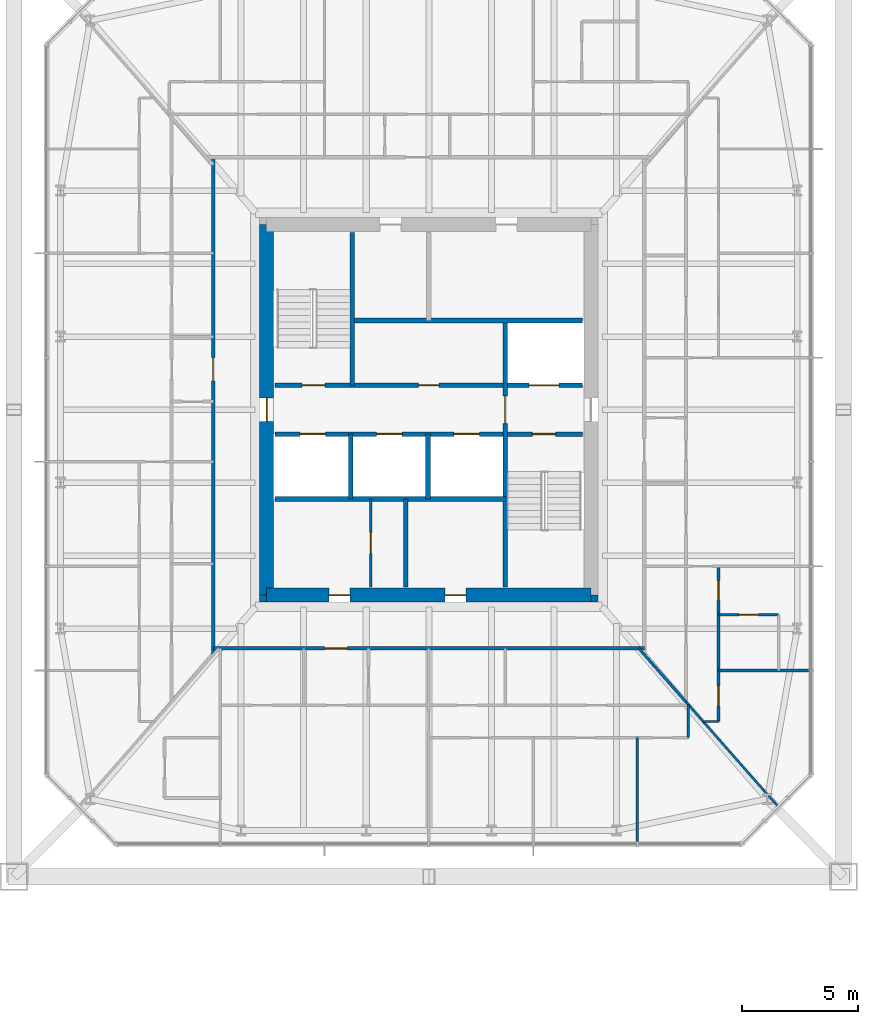
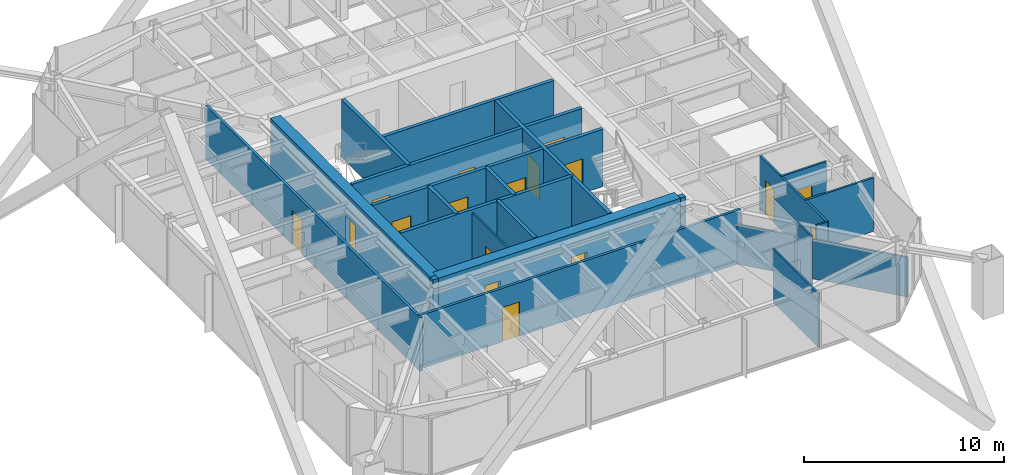
# One storey, part 21 of 28: 24 walls, 17 doors, 17 openings.
"""IFC4 building model written with IfcOpenShell, lengths in metres."""

import ifcopenshell
import ifcopenshell.guid

model = None  # the IFC model being written
_history = None  # IfcOwnerHistory: only IFC2X3 demands one
_inside = {}  # id of a spatial element -> (the spatial element, [elements in it])
_under = {}  # id of a project, library or spatial element -> (it, [spatial elements below it])
_declared = {}  # id of a project -> (the project, [libraries it declares])
_typed = {}  # id of a type object -> (the type object, [elements of that type])
_made_of = {}  # id of a material, layer set ... -> (it, [elements and type objects made of it])


def new_model(schema):
    """Start an empty IFC model of exactly this schema.

    Asked for "IFC4X3", IfcOpenShell would pick the latest addendum, in which some entities
    have other attributes; the version numbers below select the first issue.
    IFC2X3 requires an IfcOwnerHistory on every rooted entity: one is made here for all.
    """
    global model, _history
    if schema == "IFC4X3":
        model = ifcopenshell.file(schema_version=(4, 3, 0, 0))
    else:
        model = ifcopenshell.file(schema=schema)
    _inside.clear()
    _under.clear()
    _declared.clear()
    _typed.clear()
    _made_of.clear()
    _history = None
    if model.schema == "IFC2X3":
        org = make("IfcOrganization", Name="unknown")
        user = make(
            "IfcPersonAndOrganization",
            ThePerson=make("IfcPerson", FamilyName="unknown"),
            TheOrganization=org,
        )
        app = make(
            "IfcApplication",
            ApplicationDeveloper=org,
            Version="unknown",
            ApplicationFullName="unknown",
            ApplicationIdentifier="unknown",
        )
        _history = make(
            "IfcOwnerHistory",
            OwningUser=user,
            OwningApplication=app,
            ChangeAction="ADDED",
            CreationDate=0,
        )
    return model


def make(cls, **values):
    """One entity of the class cls with the attributes given. An attribute that is None is left unset."""
    return model.create_entity(
        cls, **{name: value for name, value in values.items() if value is not None}
    )


def rooted(cls, **values):
    """An entity with a GlobalId (a new one), such as an element, a storey or a relation."""
    return make(cls, GlobalId=ifcopenshell.guid.new(), OwnerHistory=_history, **values)


def si_unit(unit_type, name, prefix=None):
    """IfcSIUnit, for example si_unit("LENGTHUNIT", "METRE", prefix="MILLI")."""
    return make("IfcSIUnit", UnitType=unit_type, Prefix=prefix, Name=name)


def assignment(units):
    """IfcUnitAssignment: the units of a project."""
    return None if units is None else make("IfcUnitAssignment", Units=units)


def point(xyz):
    """IfcCartesianPoint."""
    return None if xyz is None else make("IfcCartesianPoint", Coordinates=xyz)


def direction(xyz):
    """IfcDirection."""
    return None if xyz is None else make("IfcDirection", DirectionRatios=xyz)


def frame(location, z_axis=None, x_axis=None):
    """IfcAxis2Placement3D, a coordinate frame: its origin and axes. An axis left out is left unset."""
    return make(
        "IfcAxis2Placement3D",
        Location=point(location),
        Axis=direction(z_axis),
        RefDirection=direction(x_axis),
    )


def frame_2d(location, x_axis=None):
    """IfcAxis2Placement2D, a coordinate frame in the plane: its origin and x axis."""
    return make(
        "IfcAxis2Placement2D", Location=point(location), RefDirection=direction(x_axis)
    )


def origin():
    """The frame at (0, 0, 0) with its axes left unset."""
    return frame((0.0, 0.0, 0.0))


def place(relative_to, where):
    """IfcLocalPlacement: puts the frame where relative to a parent placement (None: the world)."""
    return make(
        "IfcLocalPlacement", PlacementRelTo=relative_to, RelativePlacement=where
    )


def context(
    kind, dimensions, precision=None, world=None, true_north=None, identifier=None
):
    """IfcGeometricRepresentationContext, for example the 3D "Model" context."""
    return make(
        "IfcGeometricRepresentationContext",
        ContextIdentifier=identifier,
        ContextType=kind,
        CoordinateSpaceDimension=dimensions,
        Precision=precision,
        WorldCoordinateSystem=world,
        TrueNorth=true_north,
    )


def subcontext(parent, identifier, kind, view, scale=None):
    """IfcGeometricRepresentationSubContext, for example "Body" below "Model"."""
    return make(
        "IfcGeometricRepresentationSubContext",
        ContextIdentifier=identifier,
        ContextType=kind,
        ParentContext=parent,
        TargetScale=scale,
        TargetView=view,
    )


def project(units=None, contexts=None):
    """IfcProject with its units and contexts."""
    return rooted(
        "IfcProject",
        Name="project",
        RepresentationContexts=contexts,
        UnitsInContext=assignment(units),
    )


def spatial(cls, under=None, at=None, **own):
    """A site, building, storey or space (cls), placed at a placement, below another one or the project."""
    s = rooted(cls, ObjectPlacement=at, **own)
    if under is not None:
        _under.setdefault(under.id(), (under, []))[1].append(s)
    return s


def profile(cls, at=None, kind="AREA", **sizes):
    """A parametric profile (cls). Its sizes go by their IFC names, for example OverallWidth=200.0."""
    return make(cls, ProfileType=kind, Position=at, **sizes)


def rectangle(**sizes):
    """IfcRectangleProfileDef."""
    return profile("IfcRectangleProfileDef", **sizes)


def extrude(swept, where, along, depth):
    """IfcExtrudedAreaSolid: the profile swept, set in the frame where, extruded along a direction by depth."""
    return make(
        "IfcExtrudedAreaSolid",
        SweptArea=swept,
        Position=where,
        ExtrudedDirection=direction(along),
        Depth=depth,
    )


def shape(context_of_items, identifier, shape_type, items):
    """IfcShapeRepresentation: the items that make up one representation, for example the "Body"."""
    return make(
        "IfcShapeRepresentation",
        ContextOfItems=context_of_items,
        RepresentationIdentifier=identifier,
        RepresentationType=shape_type,
        Items=items,
    )


def material(Name=None, Category=None):
    """IfcMaterial."""
    return make("IfcMaterial", Name=Name, Category=Category)


def layer(
    of_material, thickness, ventilated=None, Name=None, Category=None, Priority=None
):
    """IfcMaterialLayer: one layer of a wall or slab, of a material (None: an air gap)."""
    return make(
        "IfcMaterialLayer",
        Material=of_material,
        LayerThickness=thickness,
        IsVentilated=ventilated,
        Name=Name,
        Category=Category,
        Priority=Priority,
    )


def layer_set(layers, Name=None):
    """IfcMaterialLayerSet."""
    return make("IfcMaterialLayerSet", MaterialLayers=layers, LayerSetName=Name)


def made_of(thing, what):
    """Note that an element or type object is made of a material, layer set ...; save() writes the relation."""
    if what is not None:
        _made_of.setdefault(what.id(), (what, []))[1].append(thing)
    return thing


def type_object(cls, material=None, **own):
    """A type object (cls), such as IfcWallType, which elements share."""
    return made_of(rooted(cls, **own), material)


def element(
    cls,
    number,
    at=None,
    inside=None,
    cuts=None,
    type_object=None,
    material=None,
    context=None,
    identifier="Body",
    shape_type=None,
    held_by="IfcProductDefinitionShape",
    body=None,
    shapes=None,
    **own,
):
    """One element of the class cls, such as IfcWall. Its Tag is "e" and its number.

    at: its placement. inside: the storey or other place that contains it. cuts: it is an
    opening in that element (IfcRelVoidsElement). A single representation is given by context,
    identifier, shape_type and body (its items); several are given by shapes. held_by: the class
    of the entity that holds the representations. save() writes the other relations.
    """
    e = rooted(cls, Tag="e%d" % number, ObjectPlacement=at, **own)
    if body is not None:
        shapes = [shape(context, identifier, shape_type, body)]
    if shapes is not None:
        e.Representation = make(held_by, Representations=shapes)
    if inside is not None:
        _inside.setdefault(inside.id(), (inside, []))[1].append(e)
    if cuts is not None:
        rooted(
            "IfcRelVoidsElement", RelatingBuildingElement=cuts, RelatedOpeningElement=e
        )
    if type_object is not None:
        _typed.setdefault(type_object.id(), (type_object, []))[1].append(e)
    return made_of(e, material)


def fill(opening, filler):
    """IfcRelFillsElement: the door or window that sits in an opening."""
    return rooted(
        "IfcRelFillsElement",
        RelatingOpeningElement=opening,
        RelatedBuildingElement=filler,
    )


def aggregate(whole, parts):
    """IfcRelAggregates: a whole, such as a stair, and the parts it consists of."""
    return rooted("IfcRelAggregates", RelatingObject=whole, RelatedObjects=parts)


def save(model, path):
    """Write the relations noted so far, then the file.

    IfcRelAggregates (storeys below a building ...), IfcRelContainedInSpatialStructure (elements
    in a storey), IfcRelDefinesByType, IfcRelAssociatesMaterial and IfcRelDeclares: one each for
    every whole, place, type object, material and project.
    """
    for whole, parts in _under.values():
        aggregate(whole, parts)
    for where, things in _inside.values():
        rooted(
            "IfcRelContainedInSpatialStructure",
            RelatedElements=things,
            RelatingStructure=where,
        )
    for kind, things in _typed.values():
        rooted("IfcRelDefinesByType", RelatedObjects=things, RelatingType=kind)
    for what, things in _made_of.values():
        rooted("IfcRelAssociatesMaterial", RelatedObjects=things, RelatingMaterial=what)
    for by, libraries in _declared.values():
        rooted("IfcRelDeclares", RelatingContext=by, RelatedDefinitions=libraries)
    model.write(path)


model = new_model("IFC4")

# Units and contexts
model_context = context("Model", 3, precision=1e-05, world=origin(), true_north=direction((0.0, 1.0)))
body_context = subcontext(model_context, "Body", "Model", "MODEL_VIEW")
ifc_project = project(units=[si_unit("LENGTHUNIT", "METRE"), si_unit("AREAUNIT", "SQUARE_METRE"), si_unit("VOLUMEUNIT", "CUBIC_METRE"), si_unit("PLANEANGLEUNIT", "RADIAN"), si_unit("MASSUNIT", "GRAM", prefix="KILO")], contexts=[model_context])

# Site, building, storey
site_placement = place(None, origin())
site = spatial("IfcSite", under=ifc_project, at=site_placement, CompositionType="ELEMENT")
building_placement = place(site_placement, origin())
building = spatial("IfcBuilding", under=site, at=building_placement, Name="Iwan Alto Co-Living Towers", CompositionType="ELEMENT")
storey_placement = place(building_placement, frame((0.0, 0.0, 43.0)))
storey = spatial("IfcBuildingStorey", under=building, at=storey_placement, Name="L11", CompositionType="ELEMENT", Elevation=43.0)

# Wall, opening, door
ifc_material_1 = material(Name="Gypsum board")
ifc_layer_1 = layer(ifc_material_1, 0.02490234375, Name="Board", Category="Finish")
ifc_material_2 = material(Name="Steel ASTM A1003 ST33H cold-formed studs", Category="steel")
ifc_layer_2 = layer(ifc_material_2, 0.10009765625, Name="Studs", Category="Framing")
ifc_layer_3 = layer(ifc_material_1, 0.02490234375, Name="Board", Category="Finish")
ifc_layer_set_1 = layer_set([ifc_layer_1, ifc_layer_2, ifc_layer_3], Name="CORRIDOR WALL 150")
wall_type_1 = type_object("IfcWallType", Name="CORRIDOR WALL 150", PredefinedType="PARTITIONING", material=ifc_layer_set_1)
wall_1_placement = place(storey_placement, frame((53.699951171875, -10.300048828125, 0.0), z_axis=(0.0, 0.0, 1.0), x_axis=(1.0, 0.0, 0.0)))
wall_1 = element("IfcWall", 1, at=wall_1_placement, inside=storey, type_object=wall_type_1, Name="Partition L11", PredefinedType="PARTITIONING", context=body_context, shape_type="SweptSolid", body=[
    extrude(rectangle(XDim=18.60009765625, YDim=0.14990234375, at=frame_2d((9.300048828125, 0.0))), origin(), (0.0, 0.0, 1.0), 3.27001953125),
])
opening_1_placement = place(wall_1_placement, frame((4.800048828125, 0.0, 0.0)))
opening_1 = element("IfcOpeningElement", 2, at=opening_1_placement, cuts=wall_1, Name="Opening D3", PredefinedType="OPENING", context=body_context, shape_type="SweptSolid", body=[
    extrude(rectangle(XDim=1.0, YDim=2.10009765625, at=frame_2d((0.5, 1.050048828125))), frame((0.0, 0.0849609375, 0.0), z_axis=(0.0, -1.0, 0.0), x_axis=(1.0, 0.0, 0.0)), (0.0, 0.0, 1.0), 0.169921875),
])
ifc_material_3 = material(Name="Steel frame with timber leaf", Category="steel")
door_type_1 = type_object("IfcDoorType", Name="FLAT ENTRANCE DOOR FD30S 1000X2100", OperationType="SINGLE_SWING_LEFT", PredefinedType="DOOR", material=ifc_material_3)
door_1_placement = place(opening_1_placement, frame((1.0, 0.0, 0.0), z_axis=(0.0, 0.0, 1.0), x_axis=(-1.0, 0.0, 0.0)))
door_1 = element("IfcDoor", 3, at=door_1_placement, inside=storey, type_object=door_type_1, Name="Apartment foyer door L11", OperationType="SINGLE_SWING_RIGHT", OverallHeight=2.10009765625, OverallWidth=1.0, PredefinedType="DOOR", context=body_context, shape_type="SweptSolid", body=[
    extrude(rectangle(XDim=1.0, YDim=2.10009765625, at=frame_2d((0.5, 1.050048828125))), frame((0.0, 0.02490234375, 0.0), z_axis=(0.0, -1.0, 0.0), x_axis=(1.0, 0.0, 0.0)), (0.0, 0.0, 1.0), 0.050048828125),
])
fill(opening_1, door_1)

wall_2_placement = place(storey_placement, frame((53.699951171875, -10.568115234375, 0.0), z_axis=(0.0, 0.0, 1.0), x_axis=(0.0, 1.0, 0.0)))
wall_2 = element("IfcWall", 4, at=wall_2_placement, inside=storey, type_object=wall_type_1, Name="Partition L11", PredefinedType="PARTITIONING", context=body_context, shape_type="SweptSolid", body=[
    extrude(rectangle(XDim=21.468017578125, YDim=0.14990234375, at=frame_2d((10.73388671875, 0.0))), origin(), (0.0, 0.0, 1.0), 3.27001953125),
])
opening_2_placement = place(wall_2_placement, frame((11.818115234375, 0.0, 0.0)))
opening_2 = element("IfcOpeningElement", 5, at=opening_2_placement, cuts=wall_2, Name="Opening D3", PredefinedType="OPENING", context=body_context, shape_type="SweptSolid", body=[
    extrude(rectangle(XDim=1.0, YDim=2.10009765625, at=frame_2d((0.5, 1.050048828125))), frame((0.0, 0.0849609375, 0.0), z_axis=(0.0, -1.0, 0.0), x_axis=(1.0, 0.0, 0.0)), (0.0, 0.0, 1.0), 0.169921875),
])
door_2_placement = place(opening_2_placement, origin())
door_2 = element("IfcDoor", 6, at=door_2_placement, inside=storey, type_object=door_type_1, Name="Apartment foyer door L11", OperationType="SINGLE_SWING_LEFT", OverallHeight=2.10009765625, OverallWidth=1.0, PredefinedType="DOOR", context=body_context, shape_type="SweptSolid", body=[
    extrude(rectangle(XDim=1.0, YDim=2.10009765625, at=frame_2d((0.5, 1.050048828125))), frame((0.0, 0.02490234375, 0.0), z_axis=(0.0, -1.0, 0.0), x_axis=(1.0, 0.0, 0.0)), (0.0, 0.0, 1.0), 0.050048828125),
])
fill(opening_2, door_2)

# Walls
ifc_layer_4 = layer(ifc_material_1, 0.012451171875, Name="Board", Category="Finish")
ifc_layer_5 = layer(ifc_material_2, 0.074951171875, Name="Studs", Category="Framing")
ifc_layer_6 = layer(ifc_material_1, 0.012451171875, Name="Board", Category="Finish")
ifc_layer_set_2 = layer_set([ifc_layer_4, ifc_layer_5, ifc_layer_6], Name="PARTITION 100")
wall_type_2 = type_object("IfcWallType", Name="PARTITION 100", PredefinedType="PARTITIONING", material=ifc_layer_set_2)
wall_3_placement = place(storey_placement, frame((74.8359375, -13.449951171875, 0.0), z_axis=(0.0, 0.0, 1.0), x_axis=(1.0, 0.0, 0.0)))
element("IfcWall", 7, at=wall_3_placement, inside=storey, type_object=wall_type_2, Name="Partition L11", PredefinedType="PARTITIONING", context=body_context, shape_type="SweptSolid", body=[
    extrude(rectangle(XDim=0.6640625, YDim=0.10009765625, at=frame_2d((0.33203125, 0.0))), origin(), (0.0, 0.0, 1.0), 3.27001953125),
])
wall_4_placement = place(storey_placement, frame((74.199951171875, -14.14990234375, 0.0), z_axis=(0.0, 0.0, 1.0), x_axis=(0.0, 1.0, 0.0)))
element("IfcWall", 8, at=wall_4_placement, inside=storey, type_object=wall_type_2, Name="Partition L11", PredefinedType="PARTITIONING", context=body_context, shape_type="SweptSolid", body=[
    extrude(rectangle(XDim=1.4228515625, YDim=0.10009765625, at=frame_2d((0.71142578125, 0.0))), origin(), (0.0, 0.0, 1.0), 3.27001953125),
])
wall_5_placement = place(storey_placement, frame((72.0, -18.68994140625, 0.0), z_axis=(0.0, 0.0, 1.0), x_axis=(0.0, 1.0, 0.0)))
element("IfcWall", 9, at=wall_5_placement, inside=storey, type_object=wall_type_2, Name="Partition L11", PredefinedType="PARTITIONING", context=body_context, shape_type="SweptSolid", body=[
    extrude(rectangle(XDim=4.5400390625, YDim=0.10009765625, at=frame_2d((2.27001953125, 0.0))), origin(), (0.0, 0.0, 1.0), 3.27001953125),
])

# Wall, opening, door
wall_6_placement = place(storey_placement, frame((60.5, -7.639892578125, 0.0), z_axis=(0.0, 0.0, 1.0), x_axis=(0.0, 1.0, 0.0)))
wall_6 = element("IfcWall", 10, at=wall_6_placement, inside=storey, type_object=wall_type_2, Name="Partition L11", PredefinedType="PARTITIONING", context=body_context, shape_type="SweptSolid", body=[
    extrude(rectangle(XDim=3.789794921875, YDim=0.10009765625, at=frame_2d((1.89501953125, 0.0))), origin(), (0.0, 0.0, 1.0), 3.300048828125),
])
opening_3_placement = place(wall_6_placement, frame((1.445068359375, 0.0, 0.0)))
opening_3 = element("IfcOpeningElement", 11, at=opening_3_placement, cuts=wall_6, Name="Opening D16", PredefinedType="OPENING", context=body_context, shape_type="SweptSolid", body=[
    extrude(rectangle(XDim=0.89990234375, YDim=2.10009765625, at=frame_2d((0.449951171875, 1.050048828125))), frame((0.0, 0.06005859375, 0.0), z_axis=(0.0, -1.0, 0.0), x_axis=(1.0, 0.0, 0.0)), (0.0, 0.0, 1.0), 0.1201171875),
])
ifc_material_4 = material(Name="Timber leaf in steel frame", Category="steel")
door_type_2 = type_object("IfcDoorType", Name="CUPBOARD SLIDING DOOR 900X2100", OperationType="SLIDING_TO_LEFT", PredefinedType="DOOR", material=ifc_material_4)
door_3_placement = place(opening_3_placement, origin())
door_3 = element("IfcDoor", 12, at=door_3_placement, inside=storey, type_object=door_type_2, Name="Bulky waste store door L11", OperationType="SLIDING_TO_LEFT", OverallHeight=2.10009765625, OverallWidth=0.89990234375, PredefinedType="DOOR", context=body_context, shape_type="SweptSolid", body=[
    extrude(rectangle(XDim=0.89990234375, YDim=2.10009765625, at=frame_2d((0.449951171875, 1.050048828125))), frame((0.0, 0.02490234375, 0.0), z_axis=(0.0, -1.0, 0.0), x_axis=(1.0, 0.0, 0.0)), (0.0, 0.0, 1.0), 0.050048828125),
])
fill(opening_3, door_3)

# Walls
wall_7_placement = place(storey_placement, frame((78.056884765625, -17.10888671875, 0.0), z_axis=(0.0, 0.0, 1.0), x_axis=(-0.660775837956, 0.750583301156, 0.0)))
element("IfcWall", 13, at=wall_7_placement, inside=storey, type_object=wall_type_2, Name="Partition L11", PredefinedType="PARTITIONING", context=body_context, shape_type="SweptSolid", body=[
    extrude(rectangle(XDim=5.98876953125, YDim=0.10009765625, at=frame_2d((2.994384765625, 0.0))), origin(), (0.0, 0.0, 1.0), 2.42919921875),
])
ifc_material_5 = material(Name="Concrete f'c 70 MPa", Category="concrete")
ifc_layer_7 = layer(ifc_material_5, 0.199951171875)
ifc_layer_set_3 = layer_set([ifc_layer_7], Name="SHAFT WALL 200")
wall_type_3 = type_object("IfcWallType", Name="SHAFT WALL 200", PredefinedType="SOLIDWALL", material=ifc_layer_set_3)
wall_8_placement = place(storey_placement, frame((56.360107421875, -3.85009765625, 0.0), z_axis=(0.0, 0.0, 1.0), x_axis=(1.0, 0.0, 0.0)))
element("IfcWall", 14, at=wall_8_placement, inside=storey, type_object=wall_type_3, Name="Shaft wall L11", PredefinedType="SOLIDWALL", context=body_context, shape_type="SweptSolid", body=[
    extrude(rectangle(XDim=9.93994140625, YDim=0.199951171875, at=frame_2d((4.969970703125, 0.0))), origin(), (0.0, 0.0, 1.0), 3.5),
])

# Wall, openings, doors
wall_9_placement = place(storey_placement, frame((56.360107421875, -1.050048828125, 0.0), z_axis=(0.0, 0.0, 1.0), x_axis=(1.0, 0.0, 0.0)))
wall_9 = element("IfcWall", 15, at=wall_9_placement, inside=storey, type_object=wall_type_3, Name="Shaft wall L11", PredefinedType="SOLIDWALL", context=body_context, shape_type="SweptSolid", body=[
    extrude(rectangle(XDim=13.27978515625, YDim=0.199951171875, at=frame_2d((6.639892578125, 0.0))), origin(), (0.0, 0.0, 1.0), 3.5),
])
opening_4_placement = place(wall_9_placement, frame((11.110107421875, 0.0, 0.0)))
opening_4 = element("IfcOpeningElement", 16, at=opening_4_placement, cuts=wall_9, Name="Opening D5", PredefinedType="OPENING", context=body_context, shape_type="SweptSolid", body=[
    extrude(rectangle(XDim=1.0, YDim=2.10009765625, at=frame_2d((0.5, 1.050048828125))), frame((0.0, 0.10986328125, 0.0), z_axis=(0.0, -1.0, 0.0), x_axis=(1.0, 0.0, 0.0)), (0.0, 0.0, 1.0), 0.219970703125),
])
opening_5_placement = place(wall_9_placement, frame((1.0869140625, 0.0, 0.0)))
opening_5 = element("IfcOpeningElement", 17, at=opening_5_placement, cuts=wall_9, Name="Opening LD", PredefinedType="OPENING", context=body_context, shape_type="SweptSolid", body=[
    extrude(rectangle(XDim=1.10009765625, YDim=2.10009765625, at=frame_2d((0.550048828125, 1.050048828125))), frame((0.0, 0.10986328125, 0.0), z_axis=(0.0, -1.0, 0.0), x_axis=(1.0, 0.0, 0.0)), (0.0, 0.0, 1.0), 0.219970703125),
])
opening_6_placement = place(wall_9_placement, frame((4.389892578125, 0.0, 0.0)))
opening_6 = element("IfcOpeningElement", 18, at=opening_6_placement, cuts=wall_9, Name="Opening LD", PredefinedType="OPENING", context=body_context, shape_type="SweptSolid", body=[
    extrude(rectangle(XDim=1.10009765625, YDim=2.10009765625, at=frame_2d((0.550048828125, 1.050048828125))), frame((0.0, 0.10986328125, 0.0), z_axis=(0.0, -1.0, 0.0), x_axis=(1.0, 0.0, 0.0)), (0.0, 0.0, 1.0), 0.219970703125),
])
opening_7_placement = place(wall_9_placement, frame((7.72412109375, 0.0, 0.0)))
opening_7 = element("IfcOpeningElement", 19, at=opening_7_placement, cuts=wall_9, Name="Opening LD", PredefinedType="OPENING", context=body_context, shape_type="SweptSolid", body=[
    extrude(rectangle(XDim=1.10009765625, YDim=2.10009765625, at=frame_2d((0.550048828125, 1.050048828125))), frame((0.0, 0.10986328125, 0.0), z_axis=(0.0, -1.0, 0.0), x_axis=(1.0, 0.0, 0.0)), (0.0, 0.0, 1.0), 0.219970703125),
])
ifc_material_6 = material(Name="Steel frame with timber leaf", Category="steel")
door_type_3 = type_object("IfcDoorType", Name="LIFT LANDING DOOR 1100X2100", OperationType="DOUBLE_DOOR_SLIDING", PredefinedType="DOOR", material=ifc_material_6)
door_4_placement = place(opening_5_placement, origin())
door_4 = element("IfcDoor", 20, at=door_4_placement, inside=storey, type_object=door_type_3, Name="Lift P5-1 landing door L11", OperationType="DOUBLE_DOOR_SLIDING", OverallHeight=2.10009765625, OverallWidth=1.10009765625, PredefinedType="DOOR", context=body_context, shape_type="SweptSolid", body=[
    extrude(rectangle(XDim=1.10009765625, YDim=2.10009765625, at=frame_2d((0.550048828125, 1.050048828125))), frame((0.0, 0.02490234375, 0.0), z_axis=(0.0, -1.0, 0.0), x_axis=(1.0, 0.0, 0.0)), (0.0, 0.0, 1.0), 0.050048828125),
])
fill(opening_5, door_4)
door_5_placement = place(opening_6_placement, origin())
door_5 = element("IfcDoor", 21, at=door_5_placement, inside=storey, type_object=door_type_3, Name="Lift P5-2 landing door L11", OperationType="DOUBLE_DOOR_SLIDING", OverallHeight=2.10009765625, OverallWidth=1.10009765625, PredefinedType="DOOR", context=body_context, shape_type="SweptSolid", body=[
    extrude(rectangle(XDim=1.10009765625, YDim=2.10009765625, at=frame_2d((0.550048828125, 1.050048828125))), frame((0.0, 0.02490234375, 0.0), z_axis=(0.0, -1.0, 0.0), x_axis=(1.0, 0.0, 0.0)), (0.0, 0.0, 1.0), 0.050048828125),
])
fill(opening_6, door_5)
door_6_placement = place(opening_7_placement, origin())
door_6 = element("IfcDoor", 22, at=door_6_placement, inside=storey, type_object=door_type_3, Name="Lift P6-3 landing door L11", OperationType="DOUBLE_DOOR_SLIDING", OverallHeight=2.10009765625, OverallWidth=1.10009765625, PredefinedType="DOOR", context=body_context, shape_type="SweptSolid", body=[
    extrude(rectangle(XDim=1.10009765625, YDim=2.10009765625, at=frame_2d((0.550048828125, 1.050048828125))), frame((0.0, 0.02490234375, 0.0), z_axis=(0.0, -1.0, 0.0), x_axis=(1.0, 0.0, 0.0)), (0.0, 0.0, 1.0), 0.050048828125),
])
fill(opening_7, door_6)
ifc_material_7 = material(Name="Steel frame with timber leaf", Category="steel")
door_type_4 = type_object("IfcDoorType", Name="STAIR DOOR FD120S 1000X2100", OperationType="SINGLE_SWING_LEFT", PredefinedType="DOOR", material=ifc_material_7)
door_7_placement = place(opening_4_placement, frame((1.0, 0.0, 0.0), z_axis=(0.0, 0.0, 1.0), x_axis=(-1.0, 0.0, 0.0)))
door_7 = element("IfcDoor", 23, at=door_7_placement, inside=storey, type_object=door_type_4, Name="Stair S2 door L11", OperationType="SINGLE_SWING_RIGHT", OverallHeight=2.10009765625, OverallWidth=1.0, PredefinedType="DOOR", context=body_context, shape_type="SweptSolid", body=[
    extrude(rectangle(XDim=1.0, YDim=2.10009765625, at=frame_2d((0.5, 1.050048828125))), frame((0.0, 0.02490234375, 0.0), z_axis=(0.0, -1.0, 0.0), x_axis=(1.0, 0.0, 0.0)), (0.0, 0.0, 1.0), 0.050048828125),
])
fill(opening_4, door_7)

wall_10_placement = place(storey_placement, frame((56.360107421875, 1.050048828125, 0.0), z_axis=(0.0, 0.0, 1.0), x_axis=(1.0, 0.0, 0.0)))
wall_10 = element("IfcWall", 24, at=wall_10_placement, inside=storey, type_object=wall_type_3, Name="Shaft wall L11", PredefinedType="SOLIDWALL", context=body_context, shape_type="SweptSolid", body=[
    extrude(rectangle(XDim=13.27978515625, YDim=0.199951171875, at=frame_2d((6.639892578125, 0.0))), origin(), (0.0, 0.0, 1.0), 3.5),
])
opening_8_placement = place(wall_10_placement, frame((1.169921875, 0.0, 0.0)))
opening_8 = element("IfcOpeningElement", 25, at=opening_8_placement, cuts=wall_10, Name="Opening D5", PredefinedType="OPENING", context=body_context, shape_type="SweptSolid", body=[
    extrude(rectangle(XDim=1.0, YDim=2.10009765625, at=frame_2d((0.5, 1.050048828125))), frame((0.0, 0.10986328125, 0.0), z_axis=(0.0, -1.0, 0.0), x_axis=(1.0, 0.0, 0.0)), (0.0, 0.0, 1.0), 0.219970703125),
])
opening_9_placement = place(wall_10_placement, frame((6.18994140625, 0.0, 0.0)))
opening_9 = element("IfcOpeningElement", 26, at=opening_9_placement, cuts=wall_10, Name="Opening D8", PredefinedType="OPENING", context=body_context, shape_type="SweptSolid", body=[
    extrude(rectangle(XDim=0.89990234375, YDim=2.10009765625, at=frame_2d((0.449951171875, 1.050048828125))), frame((0.0, 0.10986328125, 0.0), z_axis=(0.0, -1.0, 0.0), x_axis=(1.0, 0.0, 0.0)), (0.0, 0.0, 1.0), 0.219970703125),
])
opening_10_placement = place(wall_10_placement, frame((10.9599609375, 0.0, 0.0)))
opening_10 = element("IfcOpeningElement", 27, at=opening_10_placement, cuts=wall_10, Name="Opening LD2", PredefinedType="OPENING", context=body_context, shape_type="SweptSolid", body=[
    extrude(rectangle(XDim=1.300048828125, YDim=2.10009765625, at=frame_2d((0.64990234375, 1.050048828125))), frame((0.0, 0.10986328125, 0.0), z_axis=(0.0, -1.0, 0.0), x_axis=(1.0, 0.0, 0.0)), (0.0, 0.0, 1.0), 0.219970703125),
])
ifc_material_8 = material(Name="Steel frame with timber leaf", Category="steel")
door_type_5 = type_object("IfcDoorType", Name="LIFT LANDING DOOR 1300X2100", OperationType="SLIDING_TO_LEFT", PredefinedType="DOOR", material=ifc_material_8)
door_8_placement = place(opening_10_placement, origin())
door_8 = element("IfcDoor", 28, at=door_8_placement, inside=storey, type_object=door_type_5, Name="Lift FL2 landing door L11", OperationType="SLIDING_TO_LEFT", OverallHeight=2.10009765625, OverallWidth=1.300048828125, PredefinedType="DOOR", context=body_context, shape_type="SweptSolid", body=[
    extrude(rectangle(XDim=1.300048828125, YDim=2.10009765625, at=frame_2d((0.64990234375, 1.050048828125))), frame((0.0, 0.02490234375, 0.0), z_axis=(0.0, -1.0, 0.0), x_axis=(1.0, 0.0, 0.0)), (0.0, 0.0, 1.0), 0.050048828125),
])
fill(opening_10, door_8)
ifc_material_9 = material(Name="Steel frame with timber leaf", Category="steel")
door_type_6 = type_object("IfcDoorType", Name="RISER DOOR FD120 900X2100", OperationType="SINGLE_SWING_LEFT", PredefinedType="DOOR", material=ifc_material_9)
door_9_placement = place(opening_9_placement, origin())
door_9 = element("IfcDoor", 29, at=door_9_placement, inside=storey, type_object=door_type_6, Name="Riser room door L11", OperationType="SINGLE_SWING_LEFT", OverallHeight=2.10009765625, OverallWidth=0.89990234375, PredefinedType="DOOR", context=body_context, shape_type="SweptSolid", body=[
    extrude(rectangle(XDim=0.89990234375, YDim=2.10009765625, at=frame_2d((0.449951171875, 1.050048828125))), frame((0.0, 0.02490234375, 0.0), z_axis=(0.0, -1.0, 0.0), x_axis=(1.0, 0.0, 0.0)), (0.0, 0.0, 1.0), 0.050048828125),
])
fill(opening_9, door_9)
door_10_placement = place(opening_8_placement, origin())
door_10 = element("IfcDoor", 30, at=door_10_placement, inside=storey, type_object=door_type_4, Name="Stair S1 door L11", OperationType="SINGLE_SWING_RIGHT", OverallHeight=2.10009765625, OverallWidth=1.0, PredefinedType="DOOR", context=body_context, shape_type="SweptSolid", body=[
    extrude(rectangle(XDim=1.0, YDim=2.10009765625, at=frame_2d((0.5, 1.050048828125))), frame((0.0, 0.02490234375, 0.0), z_axis=(0.0, -1.0, 0.0), x_axis=(1.0, 0.0, 0.0)), (0.0, 0.0, 1.0), 0.050048828125),
])
fill(opening_8, door_10)

# Wall
wall_11_placement = place(storey_placement, frame((59.699951171875, 3.85009765625, 0.0), z_axis=(0.0, 0.0, 1.0), x_axis=(1.0, 0.0, 0.0)))
element("IfcWall", 31, at=wall_11_placement, inside=storey, type_object=wall_type_3, Name="Shaft wall L11", PredefinedType="SOLIDWALL", context=body_context, shape_type="SweptSolid", body=[
    extrude(rectangle(XDim=9.93994140625, YDim=0.199951171875, at=frame_2d((4.969970703125, 0.0))), origin(), (0.0, 0.0, 1.0), 3.5),
])

# Wall, opening, door
wall_12_placement = place(storey_placement, frame((66.300048828125, -7.639892578125, 0.0), z_axis=(0.0, 0.0, 1.0), x_axis=(0.0, 1.0, 0.0)))
wall_12 = element("IfcWall", 32, at=wall_12_placement, inside=storey, type_object=wall_type_3, Name="Shaft wall L11", PredefinedType="SOLIDWALL", context=body_context, shape_type="SweptSolid", body=[
    extrude(rectangle(XDim=11.489990234375, YDim=0.199951171875, at=frame_2d((5.7451171875, 0.0))), origin(), (0.0, 0.0, 1.0), 3.5),
])
opening_11_placement = place(wall_12_placement, frame((7.0400390625, 0.0, 0.0)))
opening_11 = element("IfcOpeningElement", 33, at=opening_11_placement, cuts=wall_12, Name="Opening D6", PredefinedType="OPENING", context=body_context, shape_type="SweptSolid", body=[
    extrude(rectangle(XDim=1.199951171875, YDim=2.10009765625, at=frame_2d((0.60009765625, 1.050048828125))), frame((0.0, 0.10986328125, 0.0), z_axis=(0.0, -1.0, 0.0), x_axis=(1.0, 0.0, 0.0)), (0.0, 0.0, 1.0), 0.219970703125),
])
ifc_material_10 = material(Name="Steel frame with timber leaf", Category="steel")
door_type_7 = type_object("IfcDoorType", Name="LOBBY DOOR FD120S 1200X2100", OperationType="SINGLE_SWING_LEFT", PredefinedType="DOOR", material=ifc_material_10)
door_11_placement = place(opening_11_placement, frame((1.199951171875, 0.0, 0.0), z_axis=(0.0, 0.0, 1.0), x_axis=(-1.0, 0.0, 0.0)))
door_11 = element("IfcDoor", 34, at=door_11_placement, inside=storey, type_object=door_type_7, Name="Firefighting lobby door L11", OperationType="SINGLE_SWING_RIGHT", OverallHeight=2.10009765625, OverallWidth=1.199951171875, PredefinedType="DOOR", context=body_context, shape_type="SweptSolid", body=[
    extrude(rectangle(XDim=1.199951171875, YDim=2.10009765625, at=frame_2d((0.60009765625, 1.050048828125))), frame((0.0, 0.02490234375, 0.0), z_axis=(0.0, -1.0, 0.0), x_axis=(1.0, 0.0, 0.0)), (0.0, 0.0, 1.0), 0.050048828125),
])
fill(opening_11, door_11)

# Walls
wall_13_placement = place(storey_placement, frame((62.967041015625, -3.85009765625, 0.0), z_axis=(0.0, 0.0, 1.0), x_axis=(0.0, 1.0, 0.0)))
element("IfcWall", 35, at=wall_13_placement, inside=storey, type_object=wall_type_3, Name="Shaft wall L11", PredefinedType="SOLIDWALL", context=body_context, shape_type="SweptSolid", body=[
    extrude(rectangle(XDim=2.800048828125, YDim=0.199951171875, at=frame_2d((1.39990234375, 0.0))), origin(), (0.0, 0.0, 1.0), 3.5),
])
wall_14_placement = place(storey_placement, frame((62.0, -7.639892578125, 0.0), z_axis=(0.0, 0.0, 1.0), x_axis=(0.0, 1.0, 0.0)))
element("IfcWall", 36, at=wall_14_placement, inside=storey, type_object=wall_type_3, Name="Shaft wall L11", PredefinedType="SOLIDWALL", context=body_context, shape_type="SweptSolid", body=[
    extrude(rectangle(XDim=3.789794921875, YDim=0.199951171875, at=frame_2d((1.89501953125, 0.0))), origin(), (0.0, 0.0, 1.0), 3.5),
])
wall_15_placement = place(storey_placement, frame((59.699951171875, 1.050048828125, 0.0), z_axis=(0.0, 0.0, 1.0), x_axis=(0.0, 1.0, 0.0)))
element("IfcWall", 37, at=wall_15_placement, inside=storey, type_object=wall_type_3, Name="Shaft wall L11", PredefinedType="SOLIDWALL", context=body_context, shape_type="SweptSolid", body=[
    extrude(rectangle(XDim=6.58984375, YDim=0.199951171875, at=frame_2d((3.294921875, 0.0))), origin(), (0.0, 0.0, 1.0), 3.5),
])
wall_16_placement = place(storey_placement, frame((59.633056640625, -3.85009765625, 0.0), z_axis=(0.0, 0.0, 1.0), x_axis=(0.0, 1.0, 0.0)))
element("IfcWall", 38, at=wall_16_placement, inside=storey, type_object=wall_type_3, Name="Shaft wall L11", PredefinedType="SOLIDWALL", context=body_context, shape_type="SweptSolid", body=[
    extrude(rectangle(XDim=2.800048828125, YDim=0.199951171875, at=frame_2d((1.39990234375, 0.0))), origin(), (0.0, 0.0, 1.0), 3.5),
])
ifc_material_11 = material(Name="Concrete f'c 70 MPa", Category="concrete")
ifc_layer_8 = layer(ifc_material_11, 0.300048828125)
ifc_layer_set_4 = layer_set([ifc_layer_8], Name="T2 CORE CORNER FILL 300")
wall_type_4 = type_object("IfcWallType", Name="T2 CORE CORNER FILL 300", PredefinedType="SOLIDWALL", material=ifc_layer_set_4)
for number, where, z_axis, x_axis, name in (
    (39, (55.699951171875, -8.14990234375, 0.0), (0.0, 0.0, 1.0), (1.0, 0.0, 0.0), "T2 core corner SW L11"),
    (40, (70.0, -8.14990234375, 0.0), (0.0, 0.0, 1.0), (1.0, 0.0, 0.0), "T2 core corner SE L11"),
):
    element("IfcWall", number, at=place(storey_placement, frame(where, z_axis=z_axis, x_axis=x_axis)), inside=storey, type_object=wall_type_4, Name=name, PredefinedType="SOLIDWALL", context=body_context, shape_type="SweptSolid", body=[
        extrude(rectangle(XDim=0.300048828125, YDim=0.300048828125, at=frame_2d((0.14990234375, 0.0))), origin(), (0.0, 0.0, 1.0), 3.5),
    ])

# Wall, openings, doors
ifc_material_12 = material(Name="Concrete f'c 70 MPa", Category="concrete")
ifc_layer_9 = layer(ifc_material_12, 0.60009765625)
ifc_layer_set_5 = layer_set([ifc_layer_9], Name="T2 CORE WALL 600")
wall_type_5 = type_object("IfcWallType", Name="T2 CORE WALL 600", PredefinedType="SHEAR", material=ifc_layer_set_5)
wall_17_placement = place(storey_placement, frame((56.0, -8.0, 0.0), z_axis=(0.0, 0.0, 1.0), x_axis=(1.0, 0.0, 0.0)))
wall_17 = element("IfcWall", 41, at=wall_17_placement, inside=storey, type_object=wall_type_5, Name="T2 core wall S L11", PredefinedType="SHEAR", context=body_context, shape_type="SweptSolid", body=[
    extrude(rectangle(XDim=14.0, YDim=0.60009765625, at=frame_2d((7.0, 0.0))), origin(), (0.0, 0.0, 1.0), 3.5),
])
opening_12_placement = place(wall_17_placement, frame((2.699951171875, 0.0, 0.0)))
opening_12 = element("IfcOpeningElement", 42, at=opening_12_placement, cuts=wall_17, Name="Opening D8", PredefinedType="OPENING", context=body_context, shape_type="SweptSolid", body=[
    extrude(rectangle(XDim=0.89990234375, YDim=2.10009765625, at=frame_2d((0.449951171875, 1.050048828125))), frame((0.0, 0.31005859375, 0.0), z_axis=(0.0, -1.0, 0.0), x_axis=(1.0, 0.0, 0.0)), (0.0, 0.0, 1.0), 0.6201171875),
])
opening_13_placement = place(wall_17_placement, frame((7.699951171875, 0.0, 0.0)))
opening_13 = element("IfcOpeningElement", 43, at=opening_13_placement, cuts=wall_17, Name="Opening D8", PredefinedType="OPENING", context=body_context, shape_type="SweptSolid", body=[
    extrude(rectangle(XDim=0.89990234375, YDim=2.10009765625, at=frame_2d((0.449951171875, 1.050048828125))), frame((0.0, 0.31005859375, 0.0), z_axis=(0.0, -1.0, 0.0), x_axis=(1.0, 0.0, 0.0)), (0.0, 0.0, 1.0), 0.6201171875),
])
door_12_placement = place(opening_12_placement, origin())
door_12 = element("IfcDoor", 44, at=door_12_placement, inside=storey, type_object=door_type_6, Name="Refuse room core door L11", OperationType="SINGLE_SWING_RIGHT", OverallHeight=2.10009765625, OverallWidth=0.89990234375, PredefinedType="DOOR", context=body_context, shape_type="SweptSolid", body=[
    extrude(rectangle(XDim=0.89990234375, YDim=2.10009765625, at=frame_2d((0.449951171875, 1.050048828125))), frame((0.0, 0.02490234375, 0.0), z_axis=(0.0, -1.0, 0.0), x_axis=(1.0, 0.0, 0.0)), (0.0, 0.0, 1.0), 0.050048828125),
])
fill(opening_12, door_12)
door_13_placement = place(opening_13_placement, origin())
door_13 = element("IfcDoor", 45, at=door_13_placement, inside=storey, type_object=door_type_6, Name="Telecom riser core door L11", OperationType="SINGLE_SWING_LEFT", OverallHeight=2.10009765625, OverallWidth=0.89990234375, PredefinedType="DOOR", context=body_context, shape_type="SweptSolid", body=[
    extrude(rectangle(XDim=0.89990234375, YDim=2.10009765625, at=frame_2d((0.449951171875, 1.050048828125))), frame((0.0, 0.02490234375, 0.0), z_axis=(0.0, -1.0, 0.0), x_axis=(1.0, 0.0, 0.0)), (0.0, 0.0, 1.0), 0.050048828125),
])
fill(opening_13, door_13)

# Wall, opening, door
wall_18_placement = place(storey_placement, frame((56.0, 8.0, 0.0), z_axis=(0.0, 0.0, 1.0), x_axis=(0.0, -1.0, 0.0)))
wall_18 = element("IfcWall", 46, at=wall_18_placement, inside=storey, type_object=wall_type_5, Name="T2 core wall W L11", PredefinedType="SHEAR", context=body_context, shape_type="SweptSolid", body=[
    extrude(rectangle(XDim=16.0, YDim=0.60009765625, at=frame_2d((8.0, 0.0))), origin(), (0.0, 0.0, 1.0), 3.5),
])
opening_14_placement = place(wall_18_placement, frame((7.5, 0.0, 0.0)))
opening_14 = element("IfcOpeningElement", 47, at=opening_14_placement, cuts=wall_18, Name="Opening D7", PredefinedType="OPENING", context=body_context, shape_type="SweptSolid", body=[
    extrude(rectangle(XDim=1.0, YDim=2.10009765625, at=frame_2d((0.5, 1.050048828125))), frame((0.0, 0.31005859375, 0.0), z_axis=(0.0, -1.0, 0.0), x_axis=(1.0, 0.0, 0.0)), (0.0, 0.0, 1.0), 0.6201171875),
])
ifc_material_13 = material(Name="Steel frame with timber leaf", Category="steel")
door_type_8 = type_object("IfcDoorType", Name="CORE DOOR FD120S 1000X2100", OperationType="SINGLE_SWING_LEFT", PredefinedType="DOOR", material=ifc_material_13)
door_14_placement = place(opening_14_placement, origin())
door_14 = element("IfcDoor", 48, at=door_14_placement, inside=storey, type_object=door_type_8, Name="Lift lobby core door L11", OperationType="SINGLE_SWING_RIGHT", OverallHeight=2.10009765625, OverallWidth=1.0, PredefinedType="DOOR", context=body_context, shape_type="SweptSolid", body=[
    extrude(rectangle(XDim=1.0, YDim=2.10009765625, at=frame_2d((0.5, 1.050048828125))), frame((0.0, 0.02490234375, 0.0), z_axis=(0.0, -1.0, 0.0), x_axis=(1.0, 0.0, 0.0)), (0.0, 0.0, 1.0), 0.050048828125),
])
fill(opening_14, door_14)

# Wall
ifc_material_14 = material(Name="Cement board")
ifc_layer_10 = layer(ifc_material_14, 0.012451171875, Name="Board", Category="Finish")
ifc_layer_11 = layer(ifc_material_2, 0.094970703125, Name="Studs", Category="Framing")
ifc_layer_12 = layer(ifc_material_14, 0.012451171875, Name="Board", Category="Finish")
ifc_layer_set_6 = layer_set([ifc_layer_10, ifc_layer_11, ifc_layer_12], Name="WET AREA PARTITION 120")
wall_type_6 = type_object("IfcWallType", Name="WET AREA PARTITION 120", PredefinedType="PARTITIONING", material=ifc_layer_set_6)
wall_19_placement = place(storey_placement, frame((75.5, -11.25, 0.0), z_axis=(0.0, 0.0, 1.0), x_axis=(1.0, 0.0, 0.0)))
element("IfcWall", 49, at=wall_19_placement, inside=storey, type_object=wall_type_6, Name="Partition L11", PredefinedType="PARTITIONING", context=body_context, shape_type="SweptSolid", body=[
    extrude(rectangle(XDim=3.93994140625, YDim=0.1201171875, at=frame_2d((1.969970703125, 0.0))), origin(), (0.0, 0.0, 1.0), 3.27001953125),
])

# Wall, opening, door
wall_20_placement = place(storey_placement, frame((75.5, -8.85009765625, 0.0), z_axis=(0.0, 0.0, 1.0), x_axis=(1.0, 0.0, 0.0)))
wall_20 = element("IfcWall", 50, at=wall_20_placement, inside=storey, type_object=wall_type_6, Name="Partition L11", PredefinedType="PARTITIONING", context=body_context, shape_type="SweptSolid", body=[
    extrude(rectangle(XDim=2.60009765625, YDim=0.1201171875, at=frame_2d((1.300048828125, 0.0))), origin(), (0.0, 0.0, 1.0), 3.27001953125),
])
opening_15_placement = place(wall_20_placement, frame((0.875, 0.0, 0.0)))
opening_15 = element("IfcOpeningElement", 51, at=opening_15_placement, cuts=wall_20, Name="Opening D2", PredefinedType="OPENING", context=body_context, shape_type="SweptSolid", body=[
    extrude(rectangle(XDim=0.85009765625, YDim=2.10009765625, at=frame_2d((0.425048828125, 1.050048828125))), frame((0.0, 0.070068359375, 0.0), z_axis=(0.0, -1.0, 0.0), x_axis=(1.0, 0.0, 0.0)), (0.0, 0.0, 1.0), 0.14013671875),
])
ifc_material_15 = material(Name="Timber leaf in steel frame", Category="steel")
door_type_9 = type_object("IfcDoorType", Name="ROOM DOOR 850X2100", OperationType="SINGLE_SWING_LEFT", PredefinedType="DOOR", material=ifc_material_15)
door_15_placement = place(opening_15_placement, origin())
door_15 = element("IfcDoor", 52, at=door_15_placement, inside=storey, type_object=door_type_9, Name="En-suite shower room door L11", OperationType="SINGLE_SWING_LEFT", OverallHeight=2.10009765625, OverallWidth=0.85009765625, PredefinedType="DOOR", context=body_context, shape_type="SweptSolid", body=[
    extrude(rectangle(XDim=0.85009765625, YDim=2.10009765625, at=frame_2d((0.425048828125, 1.050048828125))), frame((0.0, 0.02490234375, 0.0), z_axis=(0.0, -1.0, 0.0), x_axis=(1.0, 0.0, 0.0)), (0.0, 0.0, 1.0), 0.050048828125),
])
fill(opening_15, door_15)

# Wall, openings, doors
wall_21_placement = place(storey_placement, frame((75.5, -13.449951171875, 0.0), z_axis=(0.0, 0.0, 1.0), x_axis=(0.0, 1.0, 0.0)))
wall_21 = element("IfcWall", 53, at=wall_21_placement, inside=storey, type_object=wall_type_6, Name="Partition L11", PredefinedType="PARTITIONING", context=body_context, shape_type="SweptSolid", body=[
    extrude(rectangle(XDim=6.699951171875, YDim=0.1201171875, at=frame_2d((3.35009765625, 0.0))), origin(), (0.0, 0.0, 1.0), 3.27001953125),
])
opening_16_placement = place(wall_21_placement, frame((5.22509765625, 0.0, 0.0)))
opening_16 = element("IfcOpeningElement", 54, at=opening_16_placement, cuts=wall_21, Name="Opening D2", PredefinedType="OPENING", context=body_context, shape_type="SweptSolid", body=[
    extrude(rectangle(XDim=0.85009765625, YDim=2.10009765625, at=frame_2d((0.425048828125, 1.050048828125))), frame((0.0, 0.070068359375, 0.0), z_axis=(0.0, -1.0, 0.0), x_axis=(1.0, 0.0, 0.0)), (0.0, 0.0, 1.0), 0.14013671875),
])
opening_17_placement = place(wall_21_placement, frame((0.675048828125, 0.0, 0.0)))
opening_17 = element("IfcOpeningElement", 55, at=opening_17_placement, cuts=wall_21, Name="Opening D2", PredefinedType="OPENING", context=body_context, shape_type="SweptSolid", body=[
    extrude(rectangle(XDim=0.85009765625, YDim=2.10009765625, at=frame_2d((0.425048828125, 1.050048828125))), frame((0.0, 0.070068359375, 0.0), z_axis=(0.0, -1.0, 0.0), x_axis=(1.0, 0.0, 0.0)), (0.0, 0.0, 1.0), 0.14013671875),
])
door_16_placement = place(opening_16_placement, frame((0.85009765625, 0.0, 0.0), z_axis=(0.0, 0.0, 1.0), x_axis=(-1.0, 0.0, 0.0)))
door_16 = element("IfcDoor", 56, at=door_16_placement, inside=storey, type_object=door_type_9, Name="Bedroom door L11", OperationType="SINGLE_SWING_RIGHT", OverallHeight=2.10009765625, OverallWidth=0.85009765625, PredefinedType="DOOR", context=body_context, shape_type="SweptSolid", body=[
    extrude(rectangle(XDim=0.85009765625, YDim=2.10009765625, at=frame_2d((0.425048828125, 1.050048828125))), frame((0.0, 0.02490234375, 0.0), z_axis=(0.0, -1.0, 0.0), x_axis=(1.0, 0.0, 0.0)), (0.0, 0.0, 1.0), 0.050048828125),
])
fill(opening_16, door_16)
door_17_placement = place(opening_17_placement, frame((0.85009765625, 0.0, 0.0), z_axis=(0.0, 0.0, 1.0), x_axis=(-1.0, 0.0, 0.0)))
door_17 = element("IfcDoor", 57, at=door_17_placement, inside=storey, type_object=door_type_9, Name="Bedroom door L11", OperationType="SINGLE_SWING_LEFT", OverallHeight=2.10009765625, OverallWidth=0.85009765625, PredefinedType="DOOR", context=body_context, shape_type="SweptSolid", body=[
    extrude(rectangle(XDim=0.85009765625, YDim=2.10009765625, at=frame_2d((0.425048828125, 1.050048828125))), frame((0.0, 0.02490234375, 0.0), z_axis=(0.0, -1.0, 0.0), x_axis=(1.0, 0.0, 0.0)), (0.0, 0.0, 1.0), 0.050048828125),
])
fill(opening_17, door_17)

# Wall
wall_22_placement = place(storey_placement, frame((74.10009765625, -12.614013671875, 0.0), z_axis=(0.0, 0.0, 1.0), x_axis=(-0.660767161141, 0.750590939699, 0.0)))
element("IfcWall", 58, at=wall_22_placement, inside=storey, type_object=wall_type_6, Name="Partition L11", PredefinedType="PARTITIONING", context=body_context, shape_type="SweptSolid", body=[
    extrude(rectangle(XDim=3.082275390625, YDim=0.1201171875, at=frame_2d((1.541015625, 0.0))), origin(), (0.0, 0.0, 1.0), 2.42919921875),
])

save(model, "model.ifc")
